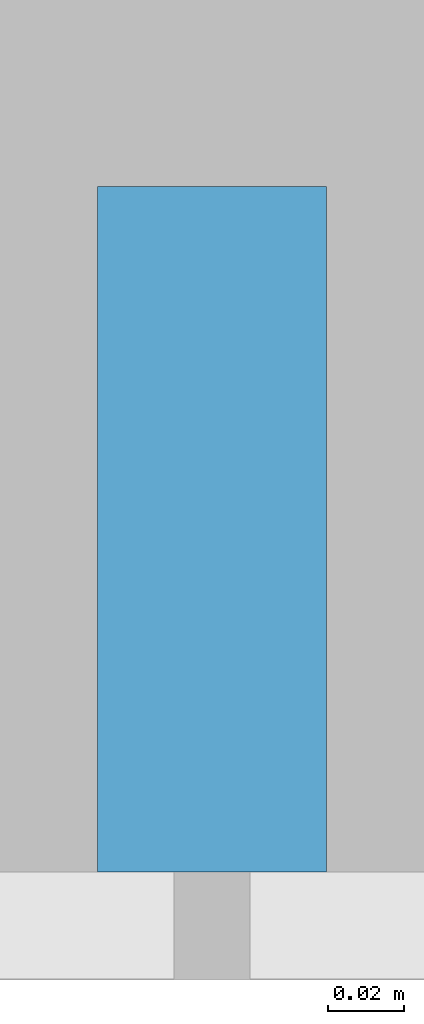
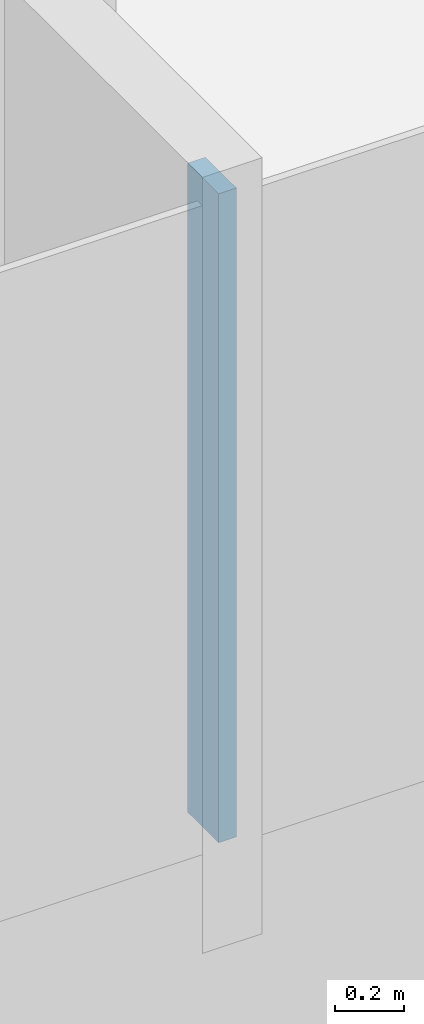
# One storey, part 3 of 26: 1 member, 1 element without a shape of its own.
"""IFC4 building model written with IfcOpenShell, lengths in metres."""

from ifc_helpers import new_model, si_unit, direction, frame, origin, origin_2d, place, context, subcontext, project, spatial, rectangle, extrude, material, layer, layer_set, material_profile, profile_set, type_object, element, aggregate, save


model = new_model("IFC4")

# Units and contexts
model_context = context("Model", 3, precision=1e-05, world=origin(), true_north=direction((0.0, 1.0)))
body_context = subcontext(model_context, "Body", "Model", "MODEL_VIEW")
ifc_project = project(units=[si_unit("LENGTHUNIT", "METRE"), si_unit("AREAUNIT", "SQUARE_METRE"), si_unit("VOLUMEUNIT", "CUBIC_METRE"), si_unit("PLANEANGLEUNIT", "RADIAN"), si_unit("MASSUNIT", "GRAM", prefix="KILO")], contexts=[model_context])

# Site, building, storey
site_placement = place(None, origin())
site = spatial("IfcSite", under=ifc_project, at=site_placement, CompositionType="ELEMENT")
building_placement = place(site_placement, origin())
building = spatial("IfcBuilding", under=site, at=building_placement, Name="Hakoniwa Tower and Hamabe Station Hall", CompositionType="ELEMENT")
storey_placement = place(building_placement, frame((0.0, 0.0, 215.39990234375)))
storey = spatial("IfcBuildingStorey", under=building, at=storey_placement, Name="L61", CompositionType="ELEMENT", Elevation=215.39990234375)

# Curtain wall, member
ifc_material_1 = material(Name="Dark low-e laminated glass", Category="glass")
ifc_layer = layer(ifc_material_1, 0.199951171875)
ifc_layer_set = layer_set([ifc_layer], Name="CW-1 UNITISED GUEST")
curtain_wall_type = type_object("IfcCurtainWallType", Name="CW-1 UNITISED GUEST", PredefinedType="NOTDEFINED", material=ifc_layer_set)
curtain_wall_placement = place(storey_placement, origin())
curtain_wall = element("IfcCurtainWall", 1, at=curtain_wall_placement, inside=storey, type_object=curtain_wall_type, Name="CW-1 curtain wall", PredefinedType="NOTDEFINED")
ifc_material_2 = material(Name="Aluminium 6063-T5 black anodised", Category="aluminium")
ifc_material_profile = material_profile(ifc_material_2, rectangle(XDim=0.06005859375, YDim=0.179931640625, at=origin_2d()), Name="CW-1 MULLION 60X180")
ifc_profile_set = profile_set([ifc_material_profile], Name="Aluminium 6063-T5 black anodised")
member_type = type_object("IfcMemberType", Name="CW-1 MULLION 60X180", PredefinedType="MULLION", material=ifc_profile_set)
member_placement = place(storey_placement, frame((0.0, -15.431884765625, 0.35009765625), z_axis=(0.0, 0.0, 1.0), x_axis=(1.0, 0.0, 0.0)))
member = element("IfcMember", 2, at=member_placement, type_object=member_type, Name="CW-1 mullion", PredefinedType="MULLION", context=body_context, shape_type="SweptSolid", body=[
    extrude(rectangle(XDim=0.06005859375, YDim=0.179931640625, at=origin_2d()), origin(), (0.0, 0.0, 1.0), 2.300048828125),
])
aggregate(curtain_wall, [member])

save(model, "model.ifc")
